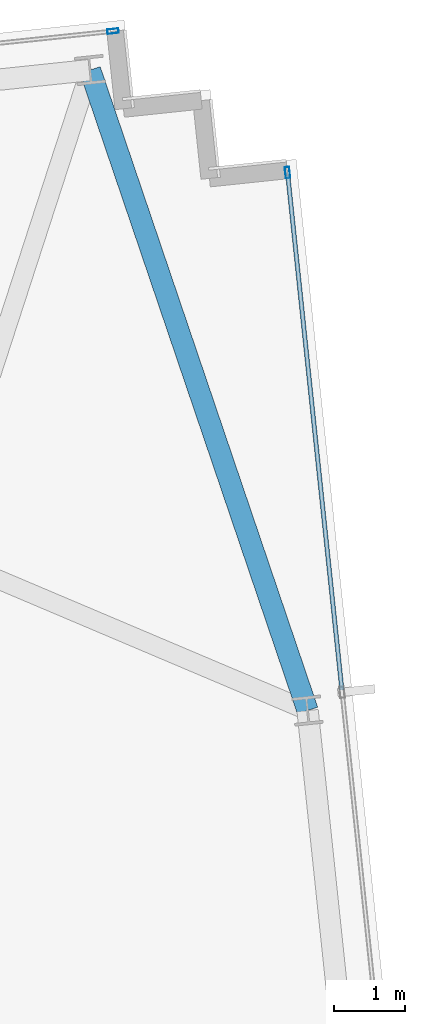
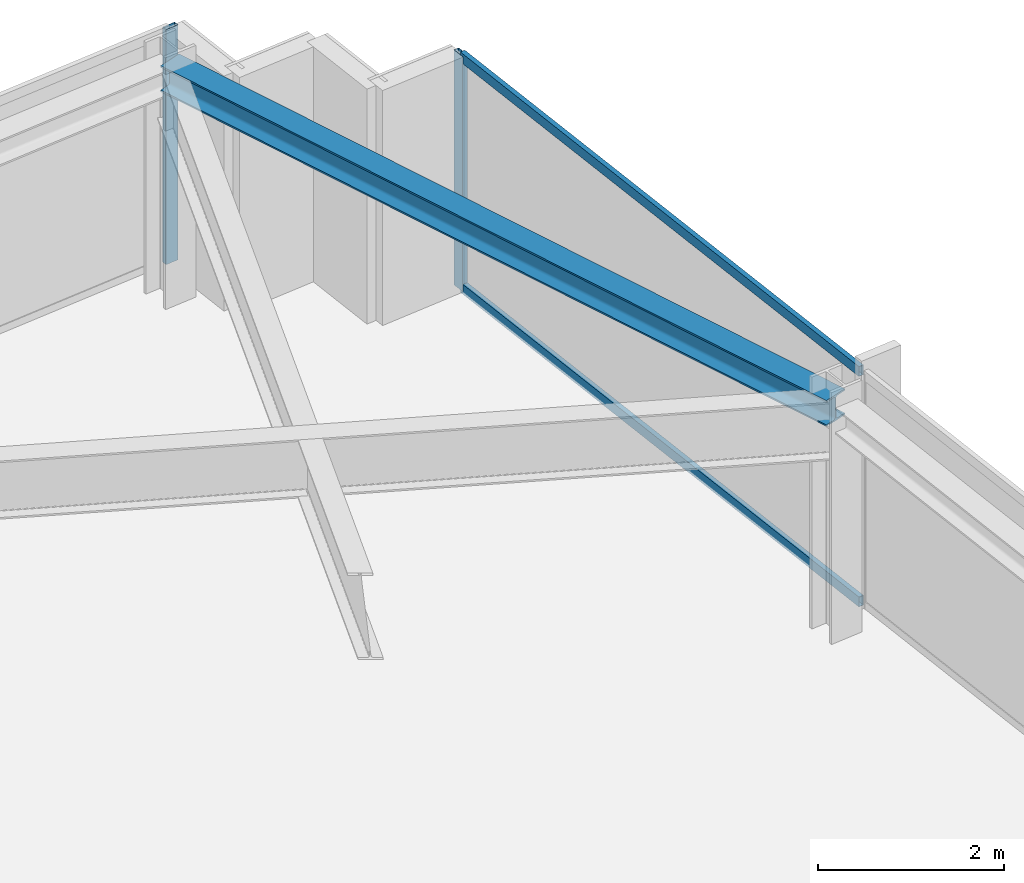
# One storey, part 25 of 32: 4 members, 1 beam, 2 elements without a shape of their own.
"""IFC4 building model written with IfcOpenShell, lengths in metres."""

from ifc_helpers import new_model, si_unit, direction, frame, origin, origin_2d, place, context, subcontext, project, spatial, hollow_rectangle, i_section, extrude, material, material_profile, profile_set, type_object, element, aggregate, save


model = new_model("IFC4")

# Units and contexts
model_context = context("Model", 3, precision=1e-05, world=origin(), true_north=direction((0.0, 1.0)))
body_context = subcontext(model_context, "Body", "Model", "MODEL_VIEW")
ifc_project = project(units=[si_unit("LENGTHUNIT", "METRE"), si_unit("AREAUNIT", "SQUARE_METRE"), si_unit("VOLUMEUNIT", "CUBIC_METRE"), si_unit("PLANEANGLEUNIT", "RADIAN"), si_unit("MASSUNIT", "GRAM", prefix="KILO")], contexts=[model_context])

# Site, building, storey
site_placement = place(None, origin())
site = spatial("IfcSite", under=ifc_project, at=site_placement, CompositionType="ELEMENT")
building_placement = place(site_placement, origin())
building = spatial("IfcBuilding", under=site, at=building_placement, Name="Yelkora Congress Tower", CompositionType="ELEMENT")
storey_placement = place(building_placement, frame((0.0, 0.0, 214.39990234375)))
storey = spatial("IfcBuildingStorey", under=building, at=storey_placement, Name="L59", CompositionType="ELEMENT", Elevation=214.39990234375)

# Beam
ifc_material_1 = material(Name="Steel S355J2", Category="steel")
ifc_material_profile_1 = material_profile(ifc_material_1, i_section(OverallWidth=0.300048828125, OverallDepth=0.340087890625, WebThickness=0.011962890625, FlangeThickness=0.021484375, FilletRadius=0.027099609375, at=origin_2d()), Name="HEB 340")
ifc_profile_set_1 = profile_set([ifc_material_profile_1], Name="Steel S355J2")
beam_type = type_object("IfcBeamType", Name="BM-SPAN-HEB340", PredefinedType="SPANDREL", material=ifc_profile_set_1)
beam_placement = place(storey_placement, frame((68.85400390625, 41.431884765625, 2.91015625), z_axis=(-0.321575477611, 0.946883948644, 0.0), x_axis=(-0.946883948644, -0.321575477611, 0.0)))
element("IfcBeam", 1, at=beam_placement, inside=storey, type_object=beam_type, Name="L59 Perimeter Beam 12", PredefinedType="SPANDREL", context=body_context, shape_type="SweptSolid", body=[
    extrude(i_section(OverallWidth=0.300048828125, OverallDepth=0.340087890625, WebThickness=0.011962890625, FlangeThickness=0.021484375, FilletRadius=0.027099609375, at=origin_2d()), origin(), (0.0, 0.0, 1.0), 9.509765625),
])

# Curtain wall, member
ifc_material_2 = material(Name="Anodised aluminium and insulated glass", Category="aluminium")
curtain_wall_type = type_object("IfcCurtainWallType", Name="CW-SYS-B4", PredefinedType="NOTDEFINED", material=ifc_material_2)
curtain_wall_1_placement = place(storey_placement, origin())
curtain_wall_1 = element("IfcCurtainWall", 2, at=curtain_wall_1_placement, inside=storey, type_object=curtain_wall_type, Name="L59 Unitised Curtain Wall 10 (3)", PredefinedType="NOTDEFINED")
ifc_material_3 = material(Name="Anodised aluminium 6063-T6", Category="aluminium")
ifc_material_profile_2 = material_profile(ifc_material_3, hollow_rectangle(XDim=0.06494140625, YDim=0.159912109375, WallThickness=0.00390625, at=origin_2d()), Name="ALU 65x160x4")
ifc_profile_set_2 = profile_set([ifc_material_profile_2], Name="Anodised aluminium 6063-T6")
member_type_1 = type_object("IfcMemberType", Name="MEM-ML-B4", PredefinedType="MULLION", material=ifc_profile_set_2)
member_1_placement = place(storey_placement, frame((66.1181640625, 50.983154296875, 0.0), z_axis=(0.0, 0.0, 1.0), x_axis=(-0.104527724021, 0.994521973066, 0.0)))
member_1 = element("IfcMember", 3, at=member_1_placement, type_object=member_type_1, Name="CW-B4 mullion 7", PredefinedType="MULLION", context=body_context, shape_type="SweptSolid", body=[
    extrude(hollow_rectangle(XDim=0.06494140625, YDim=0.159912109375, WallThickness=0.00390625, at=origin_2d()), origin(), (0.0, 0.0, 1.0), 3.080078125),
])
aggregate(curtain_wall_1, [member_1])

# Curtain wall, members
curtain_wall_2_placement = place(storey_placement, origin())
curtain_wall_2 = element("IfcCurtainWall", 4, at=curtain_wall_2_placement, inside=storey, type_object=curtain_wall_type, Name="L59 Unitised Curtain Wall 15", PredefinedType="NOTDEFINED")
member_2_placement = place(storey_placement, frame((68.57177734375, 48.996337890625, 0.0), z_axis=(0.0, 0.0, 1.0), x_axis=(0.994522182968, 0.104525726898, 0.0)))
member_2 = element("IfcMember", 5, at=member_2_placement, type_object=member_type_1, Name="CW-B4 mullion 1", PredefinedType="MULLION", context=body_context, shape_type="SweptSolid", body=[
    extrude(hollow_rectangle(XDim=0.06494140625, YDim=0.159912109375, WallThickness=0.00390625, at=origin_2d()), origin(), (0.0, 0.0, 1.0), 3.080078125),
])
ifc_material_profile_3 = material_profile(ifc_material_3, hollow_rectangle(XDim=0.06005859375, YDim=0.1298828125, WallThickness=0.00390625, at=origin_2d()), Name="ALU 60x130x4")
ifc_profile_set_3 = profile_set([ifc_material_profile_3], Name="Anodised aluminium 6063-T6")
member_type_2 = type_object("IfcMemberType", Name="MEM-TR-B4", PredefinedType="USERDEFINED", material=ifc_profile_set_3)
member_3_placement = place(storey_placement, frame((68.5751953125, 48.9638671875, 0.030029296875), z_axis=(0.104531210832, -0.994521606584, 0.0), x_axis=(0.994521606584, 0.104531210832, 0.0)))
member_3 = element("IfcMember", 6, at=member_3_placement, type_object=member_type_2, Name="CW-B4 transom 1.1", ObjectType="TRANSOM", PredefinedType="USERDEFINED", context=body_context, shape_type="SweptSolid", body=[
    extrude(hollow_rectangle(XDim=0.06005859375, YDim=0.1298828125, WallThickness=0.00390625, at=origin_2d()), origin(), (0.0, 0.0, 1.0), 7.2822265625),
])
member_4_placement = place(storey_placement, frame((68.5751953125, 48.9638671875, 3.050048828125), z_axis=(0.104531210832, -0.994521606584, 0.0), x_axis=(0.994521606584, 0.104531210832, 0.0)))
member_4 = element("IfcMember", 7, at=member_4_placement, type_object=member_type_2, Name="CW-B4 transom 1.2", ObjectType="TRANSOM", PredefinedType="USERDEFINED", context=body_context, shape_type="SweptSolid", body=[
    extrude(hollow_rectangle(XDim=0.06005859375, YDim=0.1298828125, WallThickness=0.00390625, at=origin_2d()), origin(), (0.0, 0.0, 1.0), 7.2822265625),
])
aggregate(curtain_wall_2, [member_2, member_3, member_4])

save(model, "model.ifc")
